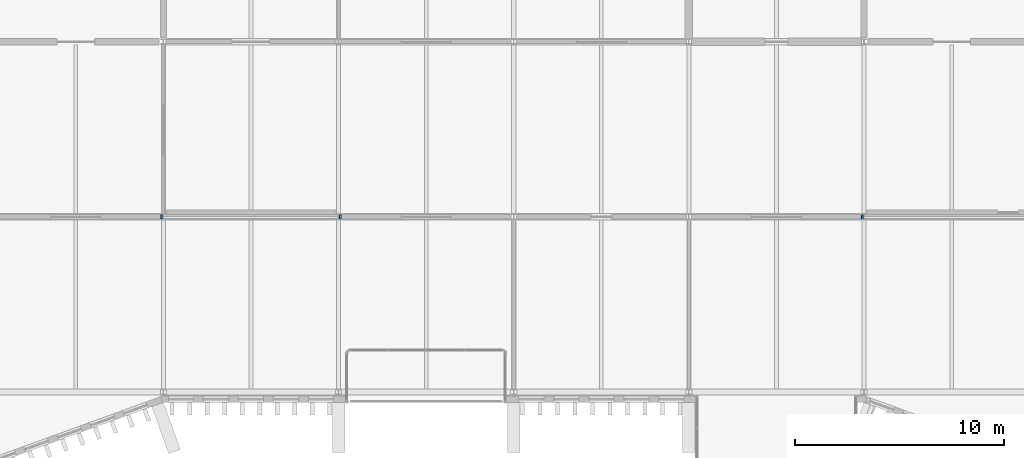
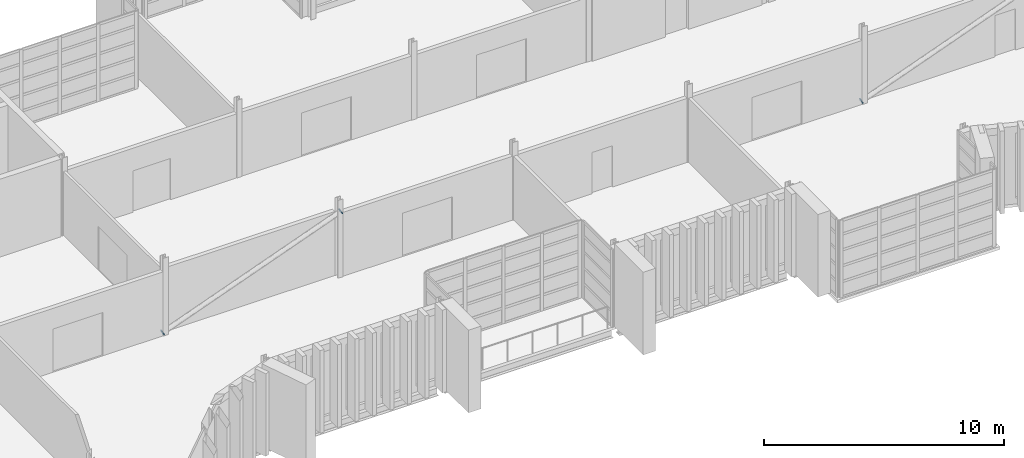
# One storey, part 73 of 88: 3 discrete accessories.
"""IFC4 building model written with IfcOpenShell, lengths in metres."""

from ifc_helpers import new_model, si_unit, direction, frame, origin, origin_2d, place, context, subcontext, project, spatial, circle, extrude, material, layer, layer_set, type_object, element, save


model = new_model("IFC4")

# Units and contexts
model_context = context("Model", 3, precision=1e-05, world=origin(), true_north=direction((0.0, 1.0)))
body_context = subcontext(model_context, "Body", "Model", "MODEL_VIEW")
ifc_project = project(units=[si_unit("LENGTHUNIT", "METRE"), si_unit("AREAUNIT", "SQUARE_METRE"), si_unit("VOLUMEUNIT", "CUBIC_METRE"), si_unit("PLANEANGLEUNIT", "RADIAN"), si_unit("MASSUNIT", "GRAM", prefix="KILO")], contexts=[model_context])

# Site, building, storey
site_placement = place(None, origin())
site = spatial("IfcSite", under=ifc_project, at=site_placement, CompositionType="ELEMENT")
building_placement = place(site_placement, origin())
building = spatial("IfcBuilding", under=site, at=building_placement, Name="Cresset Court Congress Hotel", CompositionType="ELEMENT")
storey_placement = place(building_placement, frame((0.0, 0.0, 14.39990234375)))
storey = spatial("IfcBuildingStorey", under=building, at=storey_placement, Name="L03", CompositionType="ELEMENT", Elevation=14.39990234375)

# Discrete accessories
ifc_material = material(Name="Structural steel Q355B", Category="steel")
ifc_layer = layer(ifc_material, 0.01611328125)
ifc_layer_set = layer_set([ifc_layer], Name="Brace end gusset 219x16")
discrete_accessory_type = type_object("IfcDiscreteAccessoryType", Name="Brace end gusset 219x16", PredefinedType="BRACKET", material=ifc_layer_set)
for number, where, z_axis, x_axis, name in (
    (1, (67.125, 8.39990234375, 0.10009765625), (-0.935697286394, 0.0, -0.35280389487), (0.0, -1.0, 0.0), "Brace end gusset L03 9-1"),
    (2, (75.675048828125, 8.39990234375, 3.260009765625), (0.935697286394, 0.0, 0.35280389487), (0.0, 1.0, 0.0), "Brace end gusset L03 9-2"),
):
    element("IfcDiscreteAccessory", number, at=place(storey_placement, frame(where, z_axis=z_axis, x_axis=x_axis)), inside=storey, type_object=discrete_accessory_type, Name=name, PredefinedType="BRACKET", context=body_context, shape_type="SweptSolid", body=[
        extrude(circle(Radius=0.12939453125, at=origin_2d()), origin(), (0.0, 0.0, 1.0), 0.015869140625),
    ])
discrete_accessory_placement = place(storey_placement, frame((100.72509765625, 8.39990234375, 0.10009765625), z_axis=(-0.93756621841, 0.0, -0.347806822959), x_axis=(0.0, -1.0, 0.0)))
element("IfcDiscreteAccessory", 3, at=discrete_accessory_placement, inside=storey, type_object=discrete_accessory_type, Name="Brace end gusset L03 13-1", PredefinedType="BRACKET", context=body_context, shape_type="SweptSolid", body=[
    extrude(circle(Radius=0.12939453125, at=origin_2d()), origin(), (0.0, 0.0, 1.0), 0.01611328125),
])

save(model, "model.ifc")
